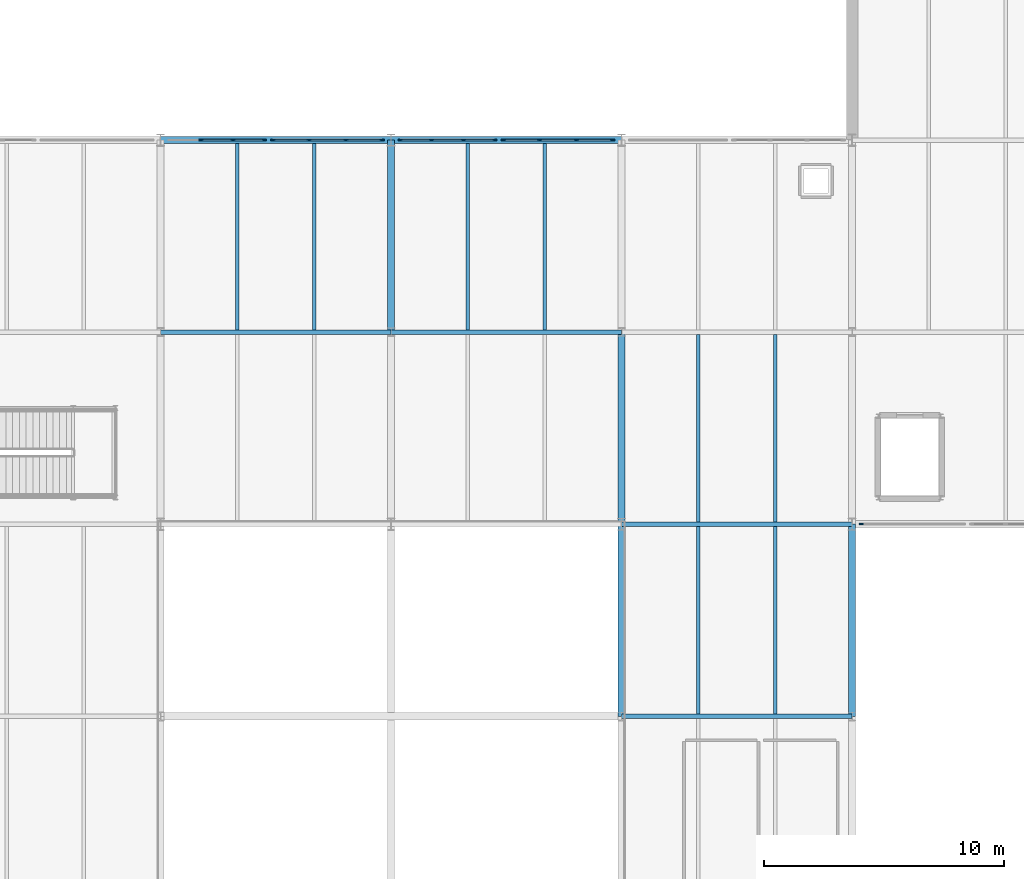
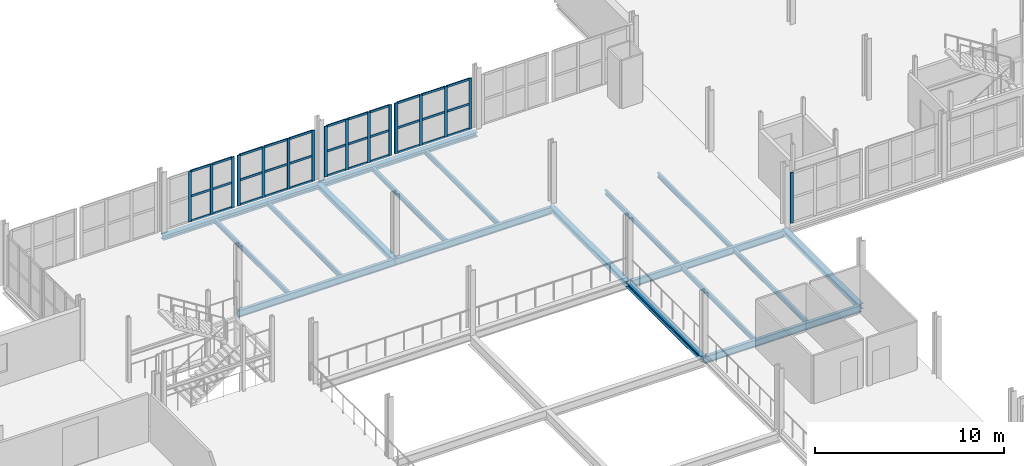
# One storey, part 40 of 78: 49 members, 18 beams, 5 elements without a shape of their own.
"""IFC4 building model written with IfcOpenShell, lengths in metres."""

from ifc_helpers import new_model, si_unit, direction, frame, origin, origin_2d, place, context, subcontext, project, spatial, rectangle, i_section, extrude, material, layer, layer_set, material_profile, profile_set, type_object, element, aggregate, save


model = new_model("IFC4")

# Units and contexts
model_context = context("Model", 3, precision=1e-05, world=origin(), true_north=direction((0.0, 1.0)))
body_context = subcontext(model_context, "Body", "Model", "MODEL_VIEW")
ifc_project = project(units=[si_unit("LENGTHUNIT", "METRE"), si_unit("AREAUNIT", "SQUARE_METRE"), si_unit("VOLUMEUNIT", "CUBIC_METRE"), si_unit("PLANEANGLEUNIT", "RADIAN"), si_unit("MASSUNIT", "GRAM", prefix="KILO")], contexts=[model_context])

# Site, building, storey
site_placement = place(None, origin())
site = spatial("IfcSite", under=ifc_project, at=site_placement, CompositionType="ELEMENT")
building_placement = place(site_placement, origin())
building = spatial("IfcBuilding", under=site, at=building_placement, Name="Alderhovde Museum", CompositionType="ELEMENT")
storey_placement = place(building_placement, frame((0.0, 0.0, 4.5)))
storey = spatial("IfcBuildingStorey", under=building, at=storey_placement, Name="L01", CompositionType="ELEMENT", Elevation=4.5)

# Beams
ifc_material_1 = material(Name="Steel S355J2", Category="steel")
ifc_material_profile_1 = material_profile(ifc_material_1, i_section(OverallWidth=0.300048828125, OverallDepth=0.330078125, WebThickness=0.009521484375, FlangeThickness=0.0166015625, FilletRadius=0.027099609375, at=origin_2d()), Name="HEA 340")
ifc_profile_set_1 = profile_set([ifc_material_profile_1], Name="Steel S355J2")
beam_type_1 = type_object("IfcBeamType", Name="BM-HEA340", PredefinedType="BEAM", material=ifc_profile_set_1)
for number, where, z_axis, x_axis, name in (
    (1, (96.0, 80.0, -0.425048828125), (0.0, 1.0, 0.0), (-1.0, 0.0, 0.0), "L01 Grid Beam X=96.0 (80.0 TO 88.0)"),
    (2, (105.60009765625, 64.0, -0.425048828125), (0.0, 1.0, 0.0), (-1.0, 0.0, 0.0), "L01 Grid Beam X=105.6 (64.0 TO 72.0)"),
    (3, (105.60009765625, 72.0, -0.425048828125), (0.0, 1.0, 0.0), (-1.0, 0.0, 0.0), "L01 Grid Beam X=105.6 (72.0 TO 80.0)"),
    (4, (115.199951171875, 64.0, -0.425048828125), (0.0, 1.0, 0.0), (-1.0, 0.0, 0.0), "L01 Grid Beam X=115.2 (64.0 TO 72.0)"),
):
    element("IfcBeam", number, at=place(storey_placement, frame(where, z_axis=z_axis, x_axis=x_axis)), inside=storey, type_object=beam_type_1, Name=name, PredefinedType="BEAM", context=body_context, shape_type="SweptSolid", body=[
        extrude(i_section(OverallWidth=0.300048828125, OverallDepth=0.330078125, WebThickness=0.009521484375, FlangeThickness=0.0166015625, FilletRadius=0.027099609375, at=origin_2d()), origin(), (0.0, 0.0, 1.0), 8.0),
    ])
ifc_material_2 = material(Name="Steel S355J2", Category="steel")
ifc_material_profile_2 = material_profile(ifc_material_2, i_section(OverallWidth=0.18994140625, OverallDepth=0.449951171875, WebThickness=0.009521484375, FlangeThickness=0.0146484375, FilletRadius=0.02099609375, at=origin_2d()), Name="IPE 450")
ifc_profile_set_2 = profile_set([ifc_material_profile_2], Name="Steel S355J2")
beam_type_2 = type_object("IfcBeamType", Name="BM-IPE450", PredefinedType="BEAM", material=ifc_profile_set_2)
for number, where, z_axis, x_axis, name in (
    (5, (105.60009765625, 64.0, -0.485107421875), (1.0, 0.0, 0.0), (0.0, 1.0, 0.0), "L01 Grid Beam Y=64.0 (105.6 TO 115.2)"),
    (6, (105.60009765625, 72.0, -0.485107421875), (1.0, 0.0, 0.0), (0.0, 1.0, 0.0), "L01 Grid Beam Y=72.0 (105.6 TO 115.2)"),
):
    element("IfcBeam", number, at=place(storey_placement, frame(where, z_axis=z_axis, x_axis=x_axis)), inside=storey, type_object=beam_type_2, Name=name, PredefinedType="BEAM", context=body_context, shape_type="SweptSolid", body=[
        extrude(i_section(OverallWidth=0.18994140625, OverallDepth=0.449951171875, WebThickness=0.009521484375, FlangeThickness=0.0146484375, FilletRadius=0.02099609375, at=origin_2d()), origin(), (0.0, 0.0, 1.0), 9.599853515625),
    ])
for number, where, z_axis, x_axis, name in (
    (7, (86.39990234375, 80.0, -0.485107421875), (1.0, 0.0, 0.0), (0.0, 1.0, 0.0), "L01 Grid Beam Y=80.0 (86.4 TO 96.0)"),
    (8, (96.0, 80.0, -0.485107421875), (1.0, 0.0, 0.0), (0.0, 1.0, 0.0), "L01 Grid Beam Y=80.0 (96.0 TO 105.6)"),
):
    element("IfcBeam", number, at=place(storey_placement, frame(where, z_axis=z_axis, x_axis=x_axis)), inside=storey, type_object=beam_type_2, Name=name, PredefinedType="BEAM", context=body_context, shape_type="SweptSolid", body=[
        extrude(i_section(OverallWidth=0.18994140625, OverallDepth=0.449951171875, WebThickness=0.009521484375, FlangeThickness=0.0146484375, FilletRadius=0.02099609375, at=origin_2d()), origin(), (0.0, 0.0, 1.0), 9.60009765625),
    ])

# Curtain wall, members
ifc_material_3 = material(Name="Triple-Glazed Bronze-Anodised Curtain Wall", Category="glass")
ifc_layer_1 = layer(ifc_material_3, 0.179931640625)
ifc_layer_set_1 = layer_set([ifc_layer_1], Name="Triple-Glazed Bronze-Anodised Curtain Wall")
curtain_wall_type_1 = type_object("IfcCurtainWallType", Name="CW-UNIT-400x326", PredefinedType="USERDEFINED", material=ifc_layer_set_1)
curtain_wall_1_placement = place(storey_placement, origin())
curtain_wall_1 = element("IfcCurtainWall", 9, at=curtain_wall_1_placement, inside=storey, type_object=curtain_wall_type_1, Name="L01 Unitised Curtain Wall 19", ObjectType="UNITISED CURTAIN WALL", PredefinedType="USERDEFINED")
ifc_material_4 = material(Name="Bronze-Anodised Aluminium EN AW-6063-T6", Category="aluminium")
ifc_material_profile_3 = material_profile(ifc_material_4, rectangle(XDim=0.06494140625, YDim=0.179931640625, at=origin_2d()), Name="MULLION 65x180")
ifc_profile_set_3 = profile_set([ifc_material_profile_3], Name="Bronze-Anodised Aluminium EN AW-6063-T6")
member_type_1 = type_object("IfcMemberType", Name="CWM-65x180", PredefinedType="MULLION", material=ifc_profile_set_3)
member_1_placement = place(storey_placement, frame((88.083251953125, 88.0, 0.0), z_axis=(0.0, 0.0, 1.0), x_axis=(0.0, 1.0, 0.0)))
member_1 = element("IfcMember", 10, at=member_1_placement, type_object=member_type_1, Name="CW08 mullion 2", PredefinedType="MULLION", context=body_context, shape_type="SweptSolid", body=[
    extrude(rectangle(XDim=0.06494140625, YDim=0.179931640625, at=origin_2d()), origin(), (0.0, 0.0, 1.0), 3.260009765625),
])
member_2_placement = place(storey_placement, frame((89.416748046875, 88.0, 0.0), z_axis=(0.0, 0.0, 1.0), x_axis=(0.0, 1.0, 0.0)))
member_2 = element("IfcMember", 11, at=member_2_placement, type_object=member_type_1, Name="CW08 mullion 3", PredefinedType="MULLION", context=body_context, shape_type="SweptSolid", body=[
    extrude(rectangle(XDim=0.06494140625, YDim=0.179931640625, at=origin_2d()), origin(), (0.0, 0.0, 1.0), 3.260009765625),
])
member_3_placement = place(storey_placement, frame((90.717529296875, 88.0, 0.0), z_axis=(0.0, 0.0, 1.0), x_axis=(0.0, 1.0, 0.0)))
member_3 = element("IfcMember", 12, at=member_3_placement, type_object=member_type_1, Name="CW08 mullion 4", PredefinedType="MULLION", context=body_context, shape_type="SweptSolid", body=[
    extrude(rectangle(XDim=0.06494140625, YDim=0.179931640625, at=origin_2d()), origin(), (0.0, 0.0, 1.0), 3.260009765625),
])

ifc_material_5 = material(Name="Triple-Glazed Bronze-Anodised Curtain Wall", Category="glass")
ifc_layer_2 = layer(ifc_material_5, 0.179931640625)
ifc_layer_set_2 = layer_set([ifc_layer_2], Name="Triple-Glazed Bronze-Anodised Curtain Wall")
curtain_wall_type_2 = type_object("IfcCurtainWallType", Name="CW-UNIT-459x326", PredefinedType="USERDEFINED", material=ifc_layer_set_2)
curtain_wall_2_placement = place(storey_placement, origin())
curtain_wall_2 = element("IfcCurtainWall", 13, at=curtain_wall_2_placement, inside=storey, type_object=curtain_wall_type_2, Name="L01 Unitised Curtain Wall 20", ObjectType="UNITISED CURTAIN WALL", PredefinedType="USERDEFINED")
member_4_placement = place(storey_placement, frame((91.08251953125, 88.0, 0.0), z_axis=(0.0, 0.0, 1.0), x_axis=(0.0, 1.0, 0.0)))
member_4 = element("IfcMember", 14, at=member_4_placement, type_object=member_type_1, Name="CW09 mullion 1", PredefinedType="MULLION", context=body_context, shape_type="SweptSolid", body=[
    extrude(rectangle(XDim=0.06494140625, YDim=0.179931640625, at=origin_2d()), origin(), (0.0, 0.0, 1.0), 3.260009765625),
])
member_5_placement = place(storey_placement, frame((92.583251953125, 88.0, 0.0), z_axis=(0.0, 0.0, 1.0), x_axis=(0.0, 1.0, 0.0)))
member_5 = element("IfcMember", 15, at=member_5_placement, type_object=member_type_1, Name="CW09 mullion 2", PredefinedType="MULLION", context=body_context, shape_type="SweptSolid", body=[
    extrude(rectangle(XDim=0.06494140625, YDim=0.179931640625, at=origin_2d()), origin(), (0.0, 0.0, 1.0), 3.260009765625),
])
member_6_placement = place(storey_placement, frame((94.11669921875, 88.0, 0.0), z_axis=(0.0, 0.0, 1.0), x_axis=(0.0, 1.0, 0.0)))
member_6 = element("IfcMember", 16, at=member_6_placement, type_object=member_type_1, Name="CW09 mullion 3", PredefinedType="MULLION", context=body_context, shape_type="SweptSolid", body=[
    extrude(rectangle(XDim=0.06494140625, YDim=0.179931640625, at=origin_2d()), origin(), (0.0, 0.0, 1.0), 3.260009765625),
])
member_7_placement = place(storey_placement, frame((95.617431640625, 88.0, 0.0), z_axis=(0.0, 0.0, 1.0), x_axis=(0.0, 1.0, 0.0)))
member_7 = element("IfcMember", 17, at=member_7_placement, type_object=member_type_1, Name="CW09 mullion 4", PredefinedType="MULLION", context=body_context, shape_type="SweptSolid", body=[
    extrude(rectangle(XDim=0.06494140625, YDim=0.179931640625, at=origin_2d()), origin(), (0.0, 0.0, 1.0), 3.260009765625),
])

curtain_wall_3_placement = place(storey_placement, origin())
curtain_wall_3 = element("IfcCurtainWall", 18, at=curtain_wall_3_placement, inside=storey, type_object=curtain_wall_type_1, Name="L01 Unitised Curtain Wall 21", ObjectType="UNITISED CURTAIN WALL", PredefinedType="USERDEFINED")
member_8_placement = place(storey_placement, frame((96.382568359375, 88.0, 0.0), z_axis=(0.0, 0.0, 1.0), x_axis=(0.0, 1.0, 0.0)))
member_8 = element("IfcMember", 19, at=member_8_placement, type_object=member_type_1, Name="CW08 mullion 1", PredefinedType="MULLION", context=body_context, shape_type="SweptSolid", body=[
    extrude(rectangle(XDim=0.06494140625, YDim=0.179931640625, at=origin_2d()), origin(), (0.0, 0.0, 1.0), 3.260009765625),
])
member_9_placement = place(storey_placement, frame((97.683349609375, 88.0, 0.0), z_axis=(0.0, 0.0, 1.0), x_axis=(0.0, 1.0, 0.0)))
member_9 = element("IfcMember", 20, at=member_9_placement, type_object=member_type_1, Name="CW08 mullion 2", PredefinedType="MULLION", context=body_context, shape_type="SweptSolid", body=[
    extrude(rectangle(XDim=0.06494140625, YDim=0.179931640625, at=origin_2d()), origin(), (0.0, 0.0, 1.0), 3.260009765625),
])
member_10_placement = place(storey_placement, frame((99.0166015625, 88.0, 0.0), z_axis=(0.0, 0.0, 1.0), x_axis=(0.0, 1.0, 0.0)))
member_10 = element("IfcMember", 21, at=member_10_placement, type_object=member_type_1, Name="CW08 mullion 3", PredefinedType="MULLION", context=body_context, shape_type="SweptSolid", body=[
    extrude(rectangle(XDim=0.06494140625, YDim=0.179931640625, at=origin_2d()), origin(), (0.0, 0.0, 1.0), 3.260009765625),
])
member_11_placement = place(storey_placement, frame((100.3173828125, 88.0, 0.0), z_axis=(0.0, 0.0, 1.0), x_axis=(0.0, 1.0, 0.0)))
member_11 = element("IfcMember", 22, at=member_11_placement, type_object=member_type_1, Name="CW08 mullion 4", PredefinedType="MULLION", context=body_context, shape_type="SweptSolid", body=[
    extrude(rectangle(XDim=0.06494140625, YDim=0.179931640625, at=origin_2d()), origin(), (0.0, 0.0, 1.0), 3.260009765625),
])

curtain_wall_4_placement = place(storey_placement, origin())
curtain_wall_4 = element("IfcCurtainWall", 23, at=curtain_wall_4_placement, inside=storey, type_object=curtain_wall_type_2, Name="L01 Unitised Curtain Wall 22", ObjectType="UNITISED CURTAIN WALL", PredefinedType="USERDEFINED")
member_12_placement = place(storey_placement, frame((100.6826171875, 88.0, 0.0), z_axis=(0.0, 0.0, 1.0), x_axis=(0.0, 1.0, 0.0)))
member_12 = element("IfcMember", 24, at=member_12_placement, type_object=member_type_1, Name="CW09 mullion 1", PredefinedType="MULLION", context=body_context, shape_type="SweptSolid", body=[
    extrude(rectangle(XDim=0.06494140625, YDim=0.179931640625, at=origin_2d()), origin(), (0.0, 0.0, 1.0), 3.260009765625),
])
member_13_placement = place(storey_placement, frame((102.183349609375, 88.0, 0.0), z_axis=(0.0, 0.0, 1.0), x_axis=(0.0, 1.0, 0.0)))
member_13 = element("IfcMember", 25, at=member_13_placement, type_object=member_type_1, Name="CW09 mullion 2", PredefinedType="MULLION", context=body_context, shape_type="SweptSolid", body=[
    extrude(rectangle(XDim=0.06494140625, YDim=0.179931640625, at=origin_2d()), origin(), (0.0, 0.0, 1.0), 3.260009765625),
])
member_14_placement = place(storey_placement, frame((103.716552734375, 88.0, 0.0), z_axis=(0.0, 0.0, 1.0), x_axis=(0.0, 1.0, 0.0)))
member_14 = element("IfcMember", 26, at=member_14_placement, type_object=member_type_1, Name="CW09 mullion 3", PredefinedType="MULLION", context=body_context, shape_type="SweptSolid", body=[
    extrude(rectangle(XDim=0.06494140625, YDim=0.179931640625, at=origin_2d()), origin(), (0.0, 0.0, 1.0), 3.260009765625),
])
member_15_placement = place(storey_placement, frame((105.217529296875, 88.0, 0.0), z_axis=(0.0, 0.0, 1.0), x_axis=(0.0, 1.0, 0.0)))
member_15 = element("IfcMember", 27, at=member_15_placement, type_object=member_type_1, Name="CW09 mullion 4", PredefinedType="MULLION", context=body_context, shape_type="SweptSolid", body=[
    extrude(rectangle(XDim=0.06494140625, YDim=0.179931640625, at=origin_2d()), origin(), (0.0, 0.0, 1.0), 3.260009765625),
])

# Curtain wall, member
ifc_material_6 = material(Name="Triple-Glazed Bronze-Anodised Curtain Wall", Category="glass")
ifc_layer_3 = layer(ifc_material_6, 0.179931640625)
ifc_layer_set_3 = layer_set([ifc_layer_3], Name="Triple-Glazed Bronze-Anodised Curtain Wall")
curtain_wall_type_3 = type_object("IfcCurtainWallType", Name="CW-STIC-430x326", PredefinedType="USERDEFINED", material=ifc_layer_set_3)
curtain_wall_5_placement = place(storey_placement, origin())
curtain_wall_5 = element("IfcCurtainWall", 28, at=curtain_wall_5_placement, inside=storey, type_object=curtain_wall_type_3, Name="L01 Stick Curtain Wall 143", ObjectType="STICK CURTAIN WALL", PredefinedType="USERDEFINED")
member_16_placement = place(storey_placement, frame((115.58251953125, 72.0, 0.0), z_axis=(0.0, 0.0, 1.0), x_axis=(0.0, 1.0, 0.0)))
member_16 = element("IfcMember", 29, at=member_16_placement, type_object=member_type_1, Name="CW34 mullion 1", PredefinedType="MULLION", context=body_context, shape_type="SweptSolid", body=[
    extrude(rectangle(XDim=0.06494140625, YDim=0.179931640625, at=origin_2d()), origin(), (0.0, 0.0, 1.0), 3.260009765625),
])
aggregate(curtain_wall_5, [member_16])

# Member
ifc_material_7 = material(Name="Bronze-Anodised Aluminium EN AW-6063-T6", Category="aluminium")
ifc_material_profile_4 = material_profile(ifc_material_7, rectangle(XDim=0.06494140625, YDim=0.139892578125, at=origin_2d()), Name="TRANSOM 65x140")
ifc_profile_set_4 = profile_set([ifc_material_profile_4], Name="Bronze-Anodised Aluminium EN AW-6063-T6")
member_type_2 = type_object("IfcMemberType", Name="CWT-65x140", PredefinedType="USERDEFINED", material=ifc_profile_set_4)
member_17_placement = place(storey_placement, frame((88.11572265625, 88.0, 0.032470703125), z_axis=(1.0, 0.0, 0.0), x_axis=(0.0, 1.0, 0.0)))
member_17 = element("IfcMember", 30, at=member_17_placement, type_object=member_type_2, Name="CW08 transom 2.1", ObjectType="TRANSOM", PredefinedType="USERDEFINED", context=body_context, shape_type="SweptSolid", body=[
    extrude(rectangle(XDim=0.06494140625, YDim=0.139892578125, at=origin_2d()), origin(), (0.0, 0.0, 1.0), 1.2685546875),
])

member_18_placement = place(storey_placement, frame((88.11572265625, 88.0, 1.6298828125), z_axis=(1.0, 0.0, 0.0), x_axis=(0.0, 1.0, 0.0)))
member_18 = element("IfcMember", 31, at=member_18_placement, type_object=member_type_2, Name="CW08 transom 2.2", ObjectType="TRANSOM", PredefinedType="USERDEFINED", context=body_context, shape_type="SweptSolid", body=[
    extrude(rectangle(XDim=0.06494140625, YDim=0.139892578125, at=origin_2d()), origin(), (0.0, 0.0, 1.0), 1.2685546875),
])

member_19_placement = place(storey_placement, frame((88.11572265625, 88.0, 3.2275390625), z_axis=(1.0, 0.0, 0.0), x_axis=(0.0, 1.0, 0.0)))
member_19 = element("IfcMember", 32, at=member_19_placement, type_object=member_type_2, Name="CW08 transom 2.3", ObjectType="TRANSOM", PredefinedType="USERDEFINED", context=body_context, shape_type="SweptSolid", body=[
    extrude(rectangle(XDim=0.06494140625, YDim=0.139892578125, at=origin_2d()), origin(), (0.0, 0.0, 1.0), 1.2685546875),
])

member_20_placement = place(storey_placement, frame((89.44921875, 88.0, 0.032470703125), z_axis=(1.0, 0.0, 0.0), x_axis=(0.0, 1.0, 0.0)))
member_20 = element("IfcMember", 33, at=member_20_placement, type_object=member_type_2, Name="CW08 transom 3.1", ObjectType="TRANSOM", PredefinedType="USERDEFINED", context=body_context, shape_type="SweptSolid", body=[
    extrude(rectangle(XDim=0.06494140625, YDim=0.139892578125, at=origin_2d()), origin(), (0.0, 0.0, 1.0), 1.23583984375),
])

member_21_placement = place(storey_placement, frame((89.44921875, 88.0, 1.6298828125), z_axis=(1.0, 0.0, 0.0), x_axis=(0.0, 1.0, 0.0)))
member_21 = element("IfcMember", 34, at=member_21_placement, type_object=member_type_2, Name="CW08 transom 3.2", ObjectType="TRANSOM", PredefinedType="USERDEFINED", context=body_context, shape_type="SweptSolid", body=[
    extrude(rectangle(XDim=0.06494140625, YDim=0.139892578125, at=origin_2d()), origin(), (0.0, 0.0, 1.0), 1.23583984375),
])

member_22_placement = place(storey_placement, frame((89.44921875, 88.0, 3.2275390625), z_axis=(1.0, 0.0, 0.0), x_axis=(0.0, 1.0, 0.0)))
member_22 = element("IfcMember", 35, at=member_22_placement, type_object=member_type_2, Name="CW08 transom 3.3", ObjectType="TRANSOM", PredefinedType="USERDEFINED", context=body_context, shape_type="SweptSolid", body=[
    extrude(rectangle(XDim=0.06494140625, YDim=0.139892578125, at=origin_2d()), origin(), (0.0, 0.0, 1.0), 1.23583984375),
])

aggregate(curtain_wall_1, [member_1, member_2, member_3, member_17, member_18, member_19, member_20, member_21, member_22])

member_23_placement = place(storey_placement, frame((91.114990234375, 88.0, 0.032470703125), z_axis=(1.0, 0.0, 0.0), x_axis=(0.0, 1.0, 0.0)))
member_23 = element("IfcMember", 36, at=member_23_placement, type_object=member_type_2, Name="CW09 transom 1.1", ObjectType="TRANSOM", PredefinedType="USERDEFINED", context=body_context, shape_type="SweptSolid", body=[
    extrude(rectangle(XDim=0.06494140625, YDim=0.139892578125, at=origin_2d()), origin(), (0.0, 0.0, 1.0), 1.435791015625),
])

member_24_placement = place(storey_placement, frame((91.114990234375, 88.0, 1.6298828125), z_axis=(1.0, 0.0, 0.0), x_axis=(0.0, 1.0, 0.0)))
member_24 = element("IfcMember", 37, at=member_24_placement, type_object=member_type_2, Name="CW09 transom 1.2", ObjectType="TRANSOM", PredefinedType="USERDEFINED", context=body_context, shape_type="SweptSolid", body=[
    extrude(rectangle(XDim=0.06494140625, YDim=0.139892578125, at=origin_2d()), origin(), (0.0, 0.0, 1.0), 1.435791015625),
])

member_25_placement = place(storey_placement, frame((91.114990234375, 88.0, 3.2275390625), z_axis=(1.0, 0.0, 0.0), x_axis=(0.0, 1.0, 0.0)))
member_25 = element("IfcMember", 38, at=member_25_placement, type_object=member_type_2, Name="CW09 transom 1.3", ObjectType="TRANSOM", PredefinedType="USERDEFINED", context=body_context, shape_type="SweptSolid", body=[
    extrude(rectangle(XDim=0.06494140625, YDim=0.139892578125, at=origin_2d()), origin(), (0.0, 0.0, 1.0), 1.435791015625),
])

member_26_placement = place(storey_placement, frame((92.61572265625, 88.0, 0.032470703125), z_axis=(1.0, 0.0, 0.0), x_axis=(0.0, 1.0, 0.0)))
member_26 = element("IfcMember", 39, at=member_26_placement, type_object=member_type_2, Name="CW09 transom 2.1", ObjectType="TRANSOM", PredefinedType="USERDEFINED", context=body_context, shape_type="SweptSolid", body=[
    extrude(rectangle(XDim=0.06494140625, YDim=0.139892578125, at=origin_2d()), origin(), (0.0, 0.0, 1.0), 1.468505859375),
])

member_27_placement = place(storey_placement, frame((92.61572265625, 88.0, 1.6298828125), z_axis=(1.0, 0.0, 0.0), x_axis=(0.0, 1.0, 0.0)))
member_27 = element("IfcMember", 40, at=member_27_placement, type_object=member_type_2, Name="CW09 transom 2.2", ObjectType="TRANSOM", PredefinedType="USERDEFINED", context=body_context, shape_type="SweptSolid", body=[
    extrude(rectangle(XDim=0.06494140625, YDim=0.139892578125, at=origin_2d()), origin(), (0.0, 0.0, 1.0), 1.468505859375),
])

member_28_placement = place(storey_placement, frame((92.61572265625, 88.0, 3.2275390625), z_axis=(1.0, 0.0, 0.0), x_axis=(0.0, 1.0, 0.0)))
member_28 = element("IfcMember", 41, at=member_28_placement, type_object=member_type_2, Name="CW09 transom 2.3", ObjectType="TRANSOM", PredefinedType="USERDEFINED", context=body_context, shape_type="SweptSolid", body=[
    extrude(rectangle(XDim=0.06494140625, YDim=0.139892578125, at=origin_2d()), origin(), (0.0, 0.0, 1.0), 1.468505859375),
])

member_29_placement = place(storey_placement, frame((94.149169921875, 88.0, 0.032470703125), z_axis=(1.0, 0.0, 0.0), x_axis=(0.0, 1.0, 0.0)))
member_29 = element("IfcMember", 42, at=member_29_placement, type_object=member_type_2, Name="CW09 transom 3.1", ObjectType="TRANSOM", PredefinedType="USERDEFINED", context=body_context, shape_type="SweptSolid", body=[
    extrude(rectangle(XDim=0.06494140625, YDim=0.139892578125, at=origin_2d()), origin(), (0.0, 0.0, 1.0), 1.435791015625),
])

member_30_placement = place(storey_placement, frame((94.149169921875, 88.0, 1.6298828125), z_axis=(1.0, 0.0, 0.0), x_axis=(0.0, 1.0, 0.0)))
member_30 = element("IfcMember", 43, at=member_30_placement, type_object=member_type_2, Name="CW09 transom 3.2", ObjectType="TRANSOM", PredefinedType="USERDEFINED", context=body_context, shape_type="SweptSolid", body=[
    extrude(rectangle(XDim=0.06494140625, YDim=0.139892578125, at=origin_2d()), origin(), (0.0, 0.0, 1.0), 1.435791015625),
])

member_31_placement = place(storey_placement, frame((94.149169921875, 88.0, 3.2275390625), z_axis=(1.0, 0.0, 0.0), x_axis=(0.0, 1.0, 0.0)))
member_31 = element("IfcMember", 44, at=member_31_placement, type_object=member_type_2, Name="CW09 transom 3.3", ObjectType="TRANSOM", PredefinedType="USERDEFINED", context=body_context, shape_type="SweptSolid", body=[
    extrude(rectangle(XDim=0.06494140625, YDim=0.139892578125, at=origin_2d()), origin(), (0.0, 0.0, 1.0), 1.435791015625),
])

aggregate(curtain_wall_2, [member_4, member_5, member_6, member_7, member_23, member_24, member_25, member_26, member_27, member_28, member_29, member_30, member_31])

member_32_placement = place(storey_placement, frame((96.4150390625, 88.0, 0.032470703125), z_axis=(1.0, 0.0, 0.0), x_axis=(0.0, 1.0, 0.0)))
member_32 = element("IfcMember", 45, at=member_32_placement, type_object=member_type_2, Name="CW08 transom 1.1", ObjectType="TRANSOM", PredefinedType="USERDEFINED", context=body_context, shape_type="SweptSolid", body=[
    extrude(rectangle(XDim=0.06494140625, YDim=0.139892578125, at=origin_2d()), origin(), (0.0, 0.0, 1.0), 1.23583984375),
])

member_33_placement = place(storey_placement, frame((96.4150390625, 88.0, 1.6298828125), z_axis=(1.0, 0.0, 0.0), x_axis=(0.0, 1.0, 0.0)))
member_33 = element("IfcMember", 46, at=member_33_placement, type_object=member_type_2, Name="CW08 transom 1.2", ObjectType="TRANSOM", PredefinedType="USERDEFINED", context=body_context, shape_type="SweptSolid", body=[
    extrude(rectangle(XDim=0.06494140625, YDim=0.139892578125, at=origin_2d()), origin(), (0.0, 0.0, 1.0), 1.23583984375),
])

member_34_placement = place(storey_placement, frame((96.4150390625, 88.0, 3.2275390625), z_axis=(1.0, 0.0, 0.0), x_axis=(0.0, 1.0, 0.0)))
member_34 = element("IfcMember", 47, at=member_34_placement, type_object=member_type_2, Name="CW08 transom 1.3", ObjectType="TRANSOM", PredefinedType="USERDEFINED", context=body_context, shape_type="SweptSolid", body=[
    extrude(rectangle(XDim=0.06494140625, YDim=0.139892578125, at=origin_2d()), origin(), (0.0, 0.0, 1.0), 1.23583984375),
])

member_35_placement = place(storey_placement, frame((97.7158203125, 88.0, 0.032470703125), z_axis=(1.0, 0.0, 0.0), x_axis=(0.0, 1.0, 0.0)))
member_35 = element("IfcMember", 48, at=member_35_placement, type_object=member_type_2, Name="CW08 transom 2.1", ObjectType="TRANSOM", PredefinedType="USERDEFINED", context=body_context, shape_type="SweptSolid", body=[
    extrude(rectangle(XDim=0.06494140625, YDim=0.139892578125, at=origin_2d()), origin(), (0.0, 0.0, 1.0), 1.268310546875),
])

member_36_placement = place(storey_placement, frame((97.7158203125, 88.0, 1.6298828125), z_axis=(1.0, 0.0, 0.0), x_axis=(0.0, 1.0, 0.0)))
member_36 = element("IfcMember", 49, at=member_36_placement, type_object=member_type_2, Name="CW08 transom 2.2", ObjectType="TRANSOM", PredefinedType="USERDEFINED", context=body_context, shape_type="SweptSolid", body=[
    extrude(rectangle(XDim=0.06494140625, YDim=0.139892578125, at=origin_2d()), origin(), (0.0, 0.0, 1.0), 1.268310546875),
])

member_37_placement = place(storey_placement, frame((97.7158203125, 88.0, 3.2275390625), z_axis=(1.0, 0.0, 0.0), x_axis=(0.0, 1.0, 0.0)))
member_37 = element("IfcMember", 50, at=member_37_placement, type_object=member_type_2, Name="CW08 transom 2.3", ObjectType="TRANSOM", PredefinedType="USERDEFINED", context=body_context, shape_type="SweptSolid", body=[
    extrude(rectangle(XDim=0.06494140625, YDim=0.139892578125, at=origin_2d()), origin(), (0.0, 0.0, 1.0), 1.268310546875),
])

member_38_placement = place(storey_placement, frame((99.049072265625, 88.0, 0.032470703125), z_axis=(1.0, 0.0, 0.0), x_axis=(0.0, 1.0, 0.0)))
member_38 = element("IfcMember", 51, at=member_38_placement, type_object=member_type_2, Name="CW08 transom 3.1", ObjectType="TRANSOM", PredefinedType="USERDEFINED", context=body_context, shape_type="SweptSolid", body=[
    extrude(rectangle(XDim=0.06494140625, YDim=0.139892578125, at=origin_2d()), origin(), (0.0, 0.0, 1.0), 1.23583984375),
])

member_39_placement = place(storey_placement, frame((99.049072265625, 88.0, 1.6298828125), z_axis=(1.0, 0.0, 0.0), x_axis=(0.0, 1.0, 0.0)))
member_39 = element("IfcMember", 52, at=member_39_placement, type_object=member_type_2, Name="CW08 transom 3.2", ObjectType="TRANSOM", PredefinedType="USERDEFINED", context=body_context, shape_type="SweptSolid", body=[
    extrude(rectangle(XDim=0.06494140625, YDim=0.139892578125, at=origin_2d()), origin(), (0.0, 0.0, 1.0), 1.23583984375),
])

member_40_placement = place(storey_placement, frame((99.049072265625, 88.0, 3.2275390625), z_axis=(1.0, 0.0, 0.0), x_axis=(0.0, 1.0, 0.0)))
member_40 = element("IfcMember", 53, at=member_40_placement, type_object=member_type_2, Name="CW08 transom 3.3", ObjectType="TRANSOM", PredefinedType="USERDEFINED", context=body_context, shape_type="SweptSolid", body=[
    extrude(rectangle(XDim=0.06494140625, YDim=0.139892578125, at=origin_2d()), origin(), (0.0, 0.0, 1.0), 1.23583984375),
])

aggregate(curtain_wall_3, [member_8, member_9, member_10, member_11, member_32, member_33, member_34, member_35, member_36, member_37, member_38, member_39, member_40])

member_41_placement = place(storey_placement, frame((100.715087890625, 88.0, 0.032470703125), z_axis=(1.0, 0.0, 0.0), x_axis=(0.0, 1.0, 0.0)))
member_41 = element("IfcMember", 54, at=member_41_placement, type_object=member_type_2, Name="CW09 transom 1.1", ObjectType="TRANSOM", PredefinedType="USERDEFINED", context=body_context, shape_type="SweptSolid", body=[
    extrude(rectangle(XDim=0.06494140625, YDim=0.139892578125, at=origin_2d()), origin(), (0.0, 0.0, 1.0), 1.435791015625),
])

member_42_placement = place(storey_placement, frame((100.715087890625, 88.0, 1.6298828125), z_axis=(1.0, 0.0, 0.0), x_axis=(0.0, 1.0, 0.0)))
member_42 = element("IfcMember", 55, at=member_42_placement, type_object=member_type_2, Name="CW09 transom 1.2", ObjectType="TRANSOM", PredefinedType="USERDEFINED", context=body_context, shape_type="SweptSolid", body=[
    extrude(rectangle(XDim=0.06494140625, YDim=0.139892578125, at=origin_2d()), origin(), (0.0, 0.0, 1.0), 1.435791015625),
])

member_43_placement = place(storey_placement, frame((100.715087890625, 88.0, 3.2275390625), z_axis=(1.0, 0.0, 0.0), x_axis=(0.0, 1.0, 0.0)))
member_43 = element("IfcMember", 56, at=member_43_placement, type_object=member_type_2, Name="CW09 transom 1.3", ObjectType="TRANSOM", PredefinedType="USERDEFINED", context=body_context, shape_type="SweptSolid", body=[
    extrude(rectangle(XDim=0.06494140625, YDim=0.139892578125, at=origin_2d()), origin(), (0.0, 0.0, 1.0), 1.435791015625),
])

member_44_placement = place(storey_placement, frame((102.2158203125, 88.0, 0.032470703125), z_axis=(1.0, 0.0, 0.0), x_axis=(0.0, 1.0, 0.0)))
member_44 = element("IfcMember", 57, at=member_44_placement, type_object=member_type_2, Name="CW09 transom 2.1", ObjectType="TRANSOM", PredefinedType="USERDEFINED", context=body_context, shape_type="SweptSolid", body=[
    extrude(rectangle(XDim=0.06494140625, YDim=0.139892578125, at=origin_2d()), origin(), (0.0, 0.0, 1.0), 1.46826171875),
])

member_45_placement = place(storey_placement, frame((102.2158203125, 88.0, 1.6298828125), z_axis=(1.0, 0.0, 0.0), x_axis=(0.0, 1.0, 0.0)))
member_45 = element("IfcMember", 58, at=member_45_placement, type_object=member_type_2, Name="CW09 transom 2.2", ObjectType="TRANSOM", PredefinedType="USERDEFINED", context=body_context, shape_type="SweptSolid", body=[
    extrude(rectangle(XDim=0.06494140625, YDim=0.139892578125, at=origin_2d()), origin(), (0.0, 0.0, 1.0), 1.46826171875),
])

member_46_placement = place(storey_placement, frame((102.2158203125, 88.0, 3.2275390625), z_axis=(1.0, 0.0, 0.0), x_axis=(0.0, 1.0, 0.0)))
member_46 = element("IfcMember", 59, at=member_46_placement, type_object=member_type_2, Name="CW09 transom 2.3", ObjectType="TRANSOM", PredefinedType="USERDEFINED", context=body_context, shape_type="SweptSolid", body=[
    extrude(rectangle(XDim=0.06494140625, YDim=0.139892578125, at=origin_2d()), origin(), (0.0, 0.0, 1.0), 1.46826171875),
])

member_47_placement = place(storey_placement, frame((103.749267578125, 88.0, 0.032470703125), z_axis=(1.0, 0.0, 0.0), x_axis=(0.0, 1.0, 0.0)))
member_47 = element("IfcMember", 60, at=member_47_placement, type_object=member_type_2, Name="CW09 transom 3.1", ObjectType="TRANSOM", PredefinedType="USERDEFINED", context=body_context, shape_type="SweptSolid", body=[
    extrude(rectangle(XDim=0.06494140625, YDim=0.139892578125, at=origin_2d()), origin(), (0.0, 0.0, 1.0), 1.435791015625),
])

member_48_placement = place(storey_placement, frame((103.749267578125, 88.0, 1.6298828125), z_axis=(1.0, 0.0, 0.0), x_axis=(0.0, 1.0, 0.0)))
member_48 = element("IfcMember", 61, at=member_48_placement, type_object=member_type_2, Name="CW09 transom 3.2", ObjectType="TRANSOM", PredefinedType="USERDEFINED", context=body_context, shape_type="SweptSolid", body=[
    extrude(rectangle(XDim=0.06494140625, YDim=0.139892578125, at=origin_2d()), origin(), (0.0, 0.0, 1.0), 1.435791015625),
])

member_49_placement = place(storey_placement, frame((103.749267578125, 88.0, 3.2275390625), z_axis=(1.0, 0.0, 0.0), x_axis=(0.0, 1.0, 0.0)))
member_49 = element("IfcMember", 62, at=member_49_placement, type_object=member_type_2, Name="CW09 transom 3.3", ObjectType="TRANSOM", PredefinedType="USERDEFINED", context=body_context, shape_type="SweptSolid", body=[
    extrude(rectangle(XDim=0.06494140625, YDim=0.139892578125, at=origin_2d()), origin(), (0.0, 0.0, 1.0), 1.435791015625),
])

aggregate(curtain_wall_4, [member_12, member_13, member_14, member_15, member_41, member_42, member_43, member_44, member_45, member_46, member_47, member_48, member_49])

# Beams
ifc_material_8 = material(Name="Steel S355J2", Category="steel")
ifc_material_profile_5 = material_profile(ifc_material_8, i_section(OverallWidth=0.14990234375, OverallDepth=0.300048828125, WebThickness=0.007080078125, FlangeThickness=0.0107421875, FilletRadius=0.014892578125, at=origin_2d()), Name="IPE 300")
ifc_profile_set_5 = profile_set([ifc_material_profile_5], Name="Steel S355J2")
beam_type_3 = type_object("IfcBeamType", Name="JST-IPE300", PredefinedType="JOIST", material=ifc_profile_set_5)
for number, where, z_axis, x_axis, name in (
    (63, (89.60009765625, 80.094970703125, -0.409912109375), (0.0, 1.0, 0.0), (-1.0, 0.0, 0.0), "L01 Composite Joist X=89.6 (80.0 TO 88.0)"),
    (64, (92.800048828125, 80.094970703125, -0.409912109375), (0.0, 1.0, 0.0), (-1.0, 0.0, 0.0), "L01 Composite Joist X=92.8 (80.0 TO 88.0)"),
    (65, (99.199951171875, 80.094970703125, -0.409912109375), (0.0, 1.0, 0.0), (-1.0, 0.0, 0.0), "L01 Composite Joist X=99.2 (80.0 TO 88.0)"),
    (66, (102.39990234375, 80.094970703125, -0.409912109375), (0.0, 1.0, 0.0), (-1.0, 0.0, 0.0), "L01 Composite Joist X=102.4 (80.0 TO 88.0)"),
):
    element("IfcBeam", number, at=place(storey_placement, frame(where, z_axis=z_axis, x_axis=x_axis)), inside=storey, type_object=beam_type_3, Name=name, PredefinedType="JOIST", context=body_context, shape_type="SweptSolid", body=[
        extrude(i_section(OverallWidth=0.14990234375, OverallDepth=0.300048828125, WebThickness=0.007080078125, FlangeThickness=0.0107421875, FilletRadius=0.014892578125, at=origin_2d()), origin(), (0.0, 0.0, 1.0), 7.755126953125),
    ])
for number, where, z_axis, x_axis, name in (
    (67, (108.800048828125, 64.094970703125, -0.409912109375), (0.0, 1.0, 0.0), (-1.0, 0.0, 0.0), "L01 Composite Joist X=108.8 (64.0 TO 72.0)"),
    (68, (112.0, 64.094970703125, -0.409912109375), (0.0, 1.0, 0.0), (-1.0, 0.0, 0.0), "L01 Composite Joist X=112.0 (64.0 TO 72.0)"),
    (69, (108.800048828125, 72.094970703125, -0.409912109375), (0.0, 1.0, 0.0), (-1.0, 0.0, 0.0), "L01 Composite Joist X=108.8 (72.0 TO 80.0)"),
    (70, (112.0, 72.094970703125, -0.409912109375), (0.0, 1.0, 0.0), (-1.0, 0.0, 0.0), "L01 Composite Joist X=112.0 (72.0 TO 80.0)"),
):
    element("IfcBeam", number, at=place(storey_placement, frame(where, z_axis=z_axis, x_axis=x_axis)), inside=storey, type_object=beam_type_3, Name=name, PredefinedType="JOIST", context=body_context, shape_type="SweptSolid", body=[
        extrude(i_section(OverallWidth=0.14990234375, OverallDepth=0.300048828125, WebThickness=0.007080078125, FlangeThickness=0.0107421875, FilletRadius=0.014892578125, at=origin_2d()), origin(), (0.0, 0.0, 1.0), 7.81005859375),
    ])
ifc_material_9 = material(Name="Steel S355J2", Category="steel")
ifc_material_profile_6 = material_profile(ifc_material_9, i_section(OverallWidth=0.300048828125, OverallDepth=0.2900390625, WebThickness=0.008544921875, FlangeThickness=0.013916015625, FilletRadius=0.027099609375, at=origin_2d()), Name="HEA 300")
ifc_profile_set_6 = profile_set([ifc_material_profile_6], Name="Steel S355J2")
beam_type_4 = type_object("IfcBeamType", Name="SPD-HEA300", PredefinedType="SPANDREL", material=ifc_profile_set_6)
for number, where, z_axis, x_axis, name in (
    (71, (86.39990234375, 88.0, -0.405029296875), (1.0, 0.0, 0.0), (0.0, 1.0, 0.0), "L01 Grid Beam Y=88.0 (86.4 TO 96.0)"),
    (72, (96.0, 88.0, -0.405029296875), (1.0, 0.0, 0.0), (0.0, 1.0, 0.0), "L01 Grid Beam Y=88.0 (96.0 TO 105.6)"),
):
    element("IfcBeam", number, at=place(storey_placement, frame(where, z_axis=z_axis, x_axis=x_axis)), inside=storey, type_object=beam_type_4, Name=name, PredefinedType="SPANDREL", context=body_context, shape_type="SweptSolid", body=[
        extrude(i_section(OverallWidth=0.300048828125, OverallDepth=0.2900390625, WebThickness=0.008544921875, FlangeThickness=0.013916015625, FilletRadius=0.027099609375, at=origin_2d()), origin(), (0.0, 0.0, 1.0), 9.60009765625),
    ])

save(model, "model.ifc")
